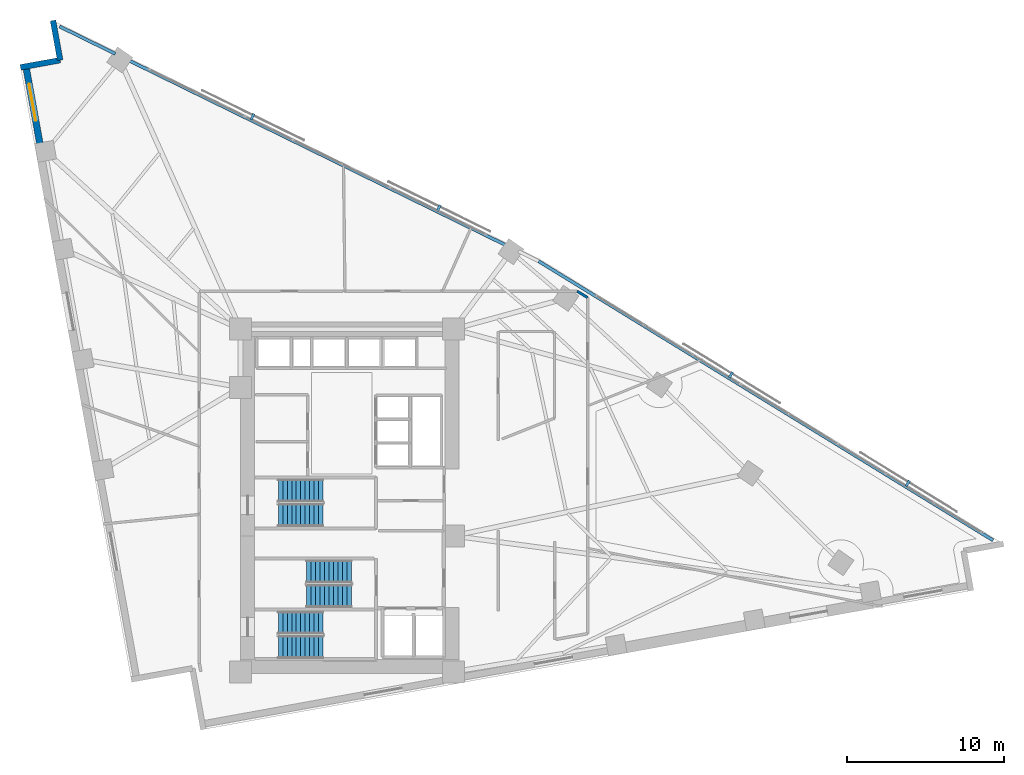
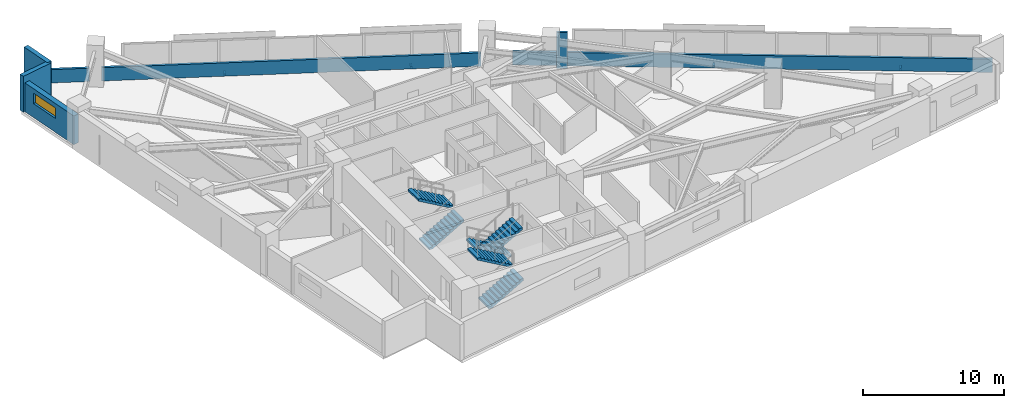
# One storey, part 18 of 20: 7 walls, 6 stair flights, 4 discrete accessories, 1 window, 1 opening, 3 elements without a shape of their own.
"""IFC4 building model written with IfcOpenShell, lengths in metres."""

from ifc_helpers import new_model, si_unit, direction, frame, frame_2d, origin, origin_2d, place, context, subcontext, project, spatial, polyline, rectangle, outline, extrude, material, layer, layer_set, type_object, element, fill, aggregate, save


model = new_model("IFC4")

# Units and contexts
model_context = context("Model", 3, precision=1e-05, world=origin(), true_north=direction((0.0, 1.0)))
body_context = subcontext(model_context, "Body", "Model", "MODEL_VIEW")
ifc_project = project(units=[si_unit("LENGTHUNIT", "METRE"), si_unit("AREAUNIT", "SQUARE_METRE"), si_unit("VOLUMEUNIT", "CUBIC_METRE"), si_unit("PLANEANGLEUNIT", "RADIAN"), si_unit("MASSUNIT", "GRAM", prefix="KILO")], contexts=[model_context])

# Site, building, storey
site_placement = place(None, origin())
site = spatial("IfcSite", under=ifc_project, at=site_placement, CompositionType="ELEMENT")
building_placement = place(site_placement, origin())
building = spatial("IfcBuilding", under=site, at=building_placement, Name="Narakoshi Arena Tower", CompositionType="ELEMENT")
storey_placement = place(building_placement, frame((0.0, 0.0, 124.5)))
storey = spatial("IfcBuildingStorey", under=building, at=storey_placement, Name="L33", CompositionType="ELEMENT", Elevation=124.5)

# Walls
ifc_material_1 = material(Name="Gypsum plasterboard fire-rated partition")
ifc_layer_1 = layer(ifc_material_1, 0.1650390625)
ifc_layer_set_1 = layer_set([ifc_layer_1], Name="Gypsum plasterboard fire-rated partition")
wall_type_1 = type_object("IfcWallType", Name="WL-CORR-165", PredefinedType="PARTITIONING", material=ifc_layer_set_1)
wall_1_placement = place(storey_placement, frame((94.07373046875, 58.511962890625, 0.0), z_axis=(0.0, 0.0, 1.0), x_axis=(-0.852185958268, 0.52323903957, 0.0)))
element("IfcWall", 1, at=wall_1_placement, inside=storey, type_object=wall_type_1, Name="L33 Corridor Partition 05-3", PredefinedType="PARTITIONING", context=body_context, shape_type="SweptSolid", body=[
    extrude(rectangle(XDim=0.77783203125, YDim=0.1650390625, at=frame_2d((0.388916015625, 0.0))), origin(), (0.0, 0.0, 1.0), 3.10009765625),
])
ifc_material_2 = material(Name="Precast concrete C45/55", Category="concrete")
ifc_layer_2 = layer(ifc_material_2, 0.25)
ifc_layer_set_2 = layer_set([ifc_layer_2], Name="Precast concrete C45/55")
wall_type_2 = type_object("IfcWallType", Name="WL-PARA-250", PredefinedType="PARAPET", material=ifc_layer_set_2)
wall_2_placement = place(storey_placement, frame((119.86474609375, 43.0703125, 0.0), z_axis=(0.0, 0.0, 1.0), x_axis=(-0.852110824326, 0.52336138859, 0.0)))
element("IfcWall", 2, at=wall_2_placement, inside=storey, type_object=wall_type_2, Name="L33 Hypotenuse Sill Upstand Parapet 1-01", PredefinedType="PARAPET", context=body_context, shape_type="SweptSolid", body=[
    extrude(rectangle(XDim=33.931640625, YDim=0.199951171875, at=frame_2d((16.9658203125, 0.0))), origin(), (0.0, 0.0, 1.0), 1.14990234375),
])
wall_3_placement = place(storey_placement, frame((88.9208984375, 61.82275390625, 0.0), z_axis=(0.0, 0.0, 1.0), x_axis=(-0.897993533426, 0.440008652103, 0.0)))
element("IfcWall", 3, at=wall_3_placement, inside=storey, type_object=wall_type_2, Name="L33 Hypotenuse Sill Upstand Parapet 2-02", PredefinedType="PARAPET", context=body_context, shape_type="SweptSolid", body=[
    extrude(rectangle(XDim=26.86376953125, YDim=0.199951171875, at=frame_2d((13.431884765625, 0.0))), origin(), (0.0, 0.0, 1.0), 1.14990234375),
])
wall_4_placement = place(storey_placement, frame((64.031982421875, 74.01806640625, 0.0), z_axis=(0.0, 0.0, 1.0), x_axis=(-0.89799103332, 0.440013754417, 0.0)))
element("IfcWall", 4, at=wall_4_placement, inside=storey, type_object=wall_type_2, Name="L33 Hypotenuse Sill Upstand Parapet 2-03", PredefinedType="PARAPET", context=body_context, shape_type="SweptSolid", body=[
    extrude(rectangle(XDim=3.954833984375, YDim=0.199951171875, at=frame_2d((1.9775390625, 0.0))), origin(), (0.0, 0.0, 1.0), 1.14990234375),
])

# Wall, opening, window
ifc_layer_3 = layer(ifc_material_2, 0.419921875)
ifc_layer_set_3 = layer_set([ifc_layer_3], Name="Precast concrete C45/55")
wall_type_3 = type_object("IfcWallType", Name="WL-POD-420", PredefinedType="SOLIDWALL", material=ifc_layer_set_3)
wall_5_placement = place(storey_placement, frame((58.341796875, 73.2197265625, 0.0), z_axis=(0.0, 0.0, 1.0), x_axis=(0.177981837245, -0.984033772597, 0.0)))
wall_5 = element("IfcWall", 5, at=wall_5_placement, inside=storey, type_object=wall_type_3, Name="L33 Architectural Concrete Facade Wall LEGB-1", PredefinedType="SOLIDWALL", context=body_context, shape_type="SweptSolid", body=[
    extrude(rectangle(XDim=5.540283203125, YDim=0.419921875, at=frame_2d((2.77001953125, 0.0))), origin(), (0.0, 0.0, 1.0), 2.485107421875),
])
opening_placement = place(wall_5_placement, frame((1.11767578125, 0.0, 1.199951171875)))
opening = element("IfcOpeningElement", 6, at=opening_placement, cuts=wall_5, Name="Opening WN-01", PredefinedType="OPENING", context=body_context, shape_type="SweptSolid", body=[
    extrude(rectangle(XDim=2.39990234375, YDim=0.89990234375, at=frame_2d((1.199951171875, 0.449951171875))), frame((0.0, 0.219970703125, 0.0), z_axis=(0.0, -1.0, 0.0), x_axis=(1.0, 0.0, 0.0)), (0.0, 0.0, 1.0), 0.43994140625),
])
ifc_material_3 = material(Name="Bronze-tinted low-E laminated glass", Category="glass")
window_type = type_object("IfcWindowType", Name="WIN-SLT-24x09", PartitioningType="SINGLE_PANEL", PredefinedType="WINDOW", material=ifc_material_3)
window_placement = place(opening_placement, origin())
window = element("IfcWindow", 7, at=window_placement, inside=storey, type_object=window_type, Name="L33 LEGB1 Horizontal Slot Window 1", OverallHeight=0.89990234375, OverallWidth=2.39990234375, PartitioningType="SINGLE_PANEL", PredefinedType="WINDOW", context=body_context, shape_type="SweptSolid", body=[
    extrude(rectangle(XDim=2.39990234375, YDim=0.89990234375, at=frame_2d((1.199951171875, 0.449951171875))), frame((0.0, 0.030029296875, 0.0), z_axis=(0.0, -1.0, 0.0), x_axis=(1.0, 0.0, 0.0)), (0.0, 0.0, 1.0), 0.06005859375),
])
fill(opening, window)

# Walls
wall_6_placement = place(storey_placement, frame((60.066162109375, 76.139404296875, 0.0), z_axis=(0.0, 0.0, 1.0), x_axis=(0.177897493713, -0.984049024048, 0.0)))
element("IfcWall", 8, at=wall_6_placement, inside=storey, type_object=wall_type_3, Name="L33 Re-Entrant Corner Notch Wall NTN-1", PredefinedType="SOLIDWALL", context=body_context, shape_type="SweptSolid", body=[
    extrude(rectangle(XDim=2.56640625, YDim=0.360107421875, at=frame_2d((1.283203125, 0.0))), origin(), (0.0, 0.0, 1.0), 3.10009765625),
])
wall_7_placement = place(storey_placement, frame((60.522705078125, 73.614013671875, 0.0), z_axis=(0.0, 0.0, 1.0), x_axis=(-0.984046012923, -0.177914149102, 0.0)))
element("IfcWall", 9, at=wall_7_placement, inside=storey, type_object=wall_type_3, Name="L33 Re-Entrant Corner Notch Wall NTN-2", PredefinedType="SOLIDWALL", context=body_context, shape_type="SweptSolid", body=[
    extrude(rectangle(XDim=2.566162109375, YDim=0.360107421875, at=frame_2d((1.283203125, 0.0))), origin(), (0.0, 0.0, 1.0), 3.10009765625),
])

# Stair, stair flights
ifc_material_4 = material(Name="Concrete C45/55", Category="concrete")
stair_type = type_object("IfcStairType", Name="STR-CORE-360", PredefinedType="TWO_STRAIGHT_RUN_STAIR", material=ifc_material_4)
stair_1_placement = place(storey_placement, origin())
stair_1 = element("IfcStair", 10, at=stair_1_placement, inside=storey, type_object=stair_type, Name="L33 Core Escape Stair ST1", PredefinedType="TWO_STRAIGHT_RUN_STAIR")
stair_flight_type = type_object("IfcStairFlightType", Name="FLT-145-160", PredefinedType="STRAIGHT", material=ifc_material_2)
stair_flight_1_placement = place(storey_placement, frame((74.39990234375, 36.27490234375, 0.0), z_axis=(0.0, 0.0, 1.0), x_axis=(1.0, 0.0, 0.0)))
stair_flight_1 = element("IfcStairFlight", 11, at=stair_flight_1_placement, type_object=stair_flight_type, Name="ST1 flight 1", NumberOfRisers=11, NumberOfTreads=10, PredefinedType="STRAIGHT", RiserHeight=0.163636364, TreadLength=0.285, context=body_context, shape_type="SweptSolid", body=[
    extrude(outline(polyline([(0.0, 0.0), (0.0, 0.16357421875), (0.284912109375, 0.16357421875), (0.284912109375, 0.327392578125), (0.570068359375, 0.327392578125), (0.570068359375, 0.490966796875), (0.85498046875, 0.490966796875), (0.85498046875, 0.654541015625), (1.139892578125, 0.654541015625), (1.139892578125, 0.818115234375), (1.425048828125, 0.818115234375), (1.425048828125, 0.98193359375), (1.7099609375, 0.98193359375), (1.7099609375, 1.1455078125), (1.9951171875, 1.1455078125), (1.9951171875, 1.30908203125), (2.280029296875, 1.30908203125), (2.280029296875, 1.47265625), (2.56494140625, 1.47265625), (2.56494140625, 1.636474609375), (2.85009765625, 1.636474609375), (2.85009765625, 1.800048828125), (2.85009765625, 1.463623046875), (0.301025390625, 0.0), (0.0, 0.0)])), frame((0.0, 0.72509765625, 0.0), z_axis=(0.0, -1.0, 0.0), x_axis=(1.0, 0.0, 0.0)), (0.0, 0.0, 1.0), 1.449951171875),
])
stair_flight_2_placement = place(storey_placement, frame((77.25, 37.824951171875, 1.800048828125), z_axis=(0.0, 0.0, 1.0), x_axis=(-1.0, 0.0, 0.0)))
stair_flight_2 = element("IfcStairFlight", 12, at=stair_flight_2_placement, type_object=stair_flight_type, Name="ST1 flight 2", NumberOfRisers=11, NumberOfTreads=10, PredefinedType="STRAIGHT", RiserHeight=0.163636364, TreadLength=0.285, context=body_context, shape_type="SweptSolid", body=[
    extrude(outline(polyline([(0.0, 0.0), (0.0, 0.16357421875), (0.284912109375, 0.16357421875), (0.284912109375, 0.327392578125), (0.570068359375, 0.327392578125), (0.570068359375, 0.490966796875), (0.85498046875, 0.490966796875), (0.85498046875, 0.654541015625), (1.139892578125, 0.654541015625), (1.139892578125, 0.818115234375), (1.425048828125, 0.818115234375), (1.425048828125, 0.98193359375), (1.7099609375, 0.98193359375), (1.7099609375, 1.1455078125), (1.9951171875, 1.1455078125), (1.9951171875, 1.30908203125), (2.280029296875, 1.30908203125), (2.280029296875, 1.47265625), (2.56494140625, 1.47265625), (2.56494140625, 1.636474609375), (2.85009765625, 1.636474609375), (2.85009765625, 1.800048828125), (2.85009765625, 1.463623046875), (0.301025390625, 0.0), (0.0, 0.0)])), frame((0.0, 0.72509765625, 0.0), z_axis=(0.0, -1.0, 0.0), x_axis=(1.0, 0.0, 0.0)), (0.0, 0.0, 1.0), 1.449951171875),
])
aggregate(stair_1, [stair_flight_1, stair_flight_2])

stair_2_placement = place(storey_placement, origin())
stair_2 = element("IfcStair", 13, at=stair_2_placement, inside=storey, type_object=stair_type, Name="L33 Core Escape Stair ST2", PredefinedType="TWO_STRAIGHT_RUN_STAIR")
stair_flight_3_placement = place(storey_placement, frame((79.050048828125, 41.074951171875, 0.0), z_axis=(0.0, 0.0, 1.0), x_axis=(-1.0, 0.0, 0.0)))
stair_flight_3 = element("IfcStairFlight", 14, at=stair_flight_3_placement, type_object=stair_flight_type, Name="ST2 flight 1", NumberOfRisers=11, NumberOfTreads=10, PredefinedType="STRAIGHT", RiserHeight=0.163636364, TreadLength=0.285, context=body_context, shape_type="SweptSolid", body=[
    extrude(outline(polyline([(0.0, 0.0), (0.0, 0.16357421875), (0.284912109375, 0.16357421875), (0.284912109375, 0.327392578125), (0.570068359375, 0.327392578125), (0.570068359375, 0.490966796875), (0.85498046875, 0.490966796875), (0.85498046875, 0.654541015625), (1.139892578125, 0.654541015625), (1.139892578125, 0.818115234375), (1.425048828125, 0.818115234375), (1.425048828125, 0.98193359375), (1.7099609375, 0.98193359375), (1.7099609375, 1.1455078125), (1.9951171875, 1.1455078125), (1.9951171875, 1.30908203125), (2.280029296875, 1.30908203125), (2.280029296875, 1.47265625), (2.56494140625, 1.47265625), (2.56494140625, 1.636474609375), (2.85009765625, 1.636474609375), (2.85009765625, 1.800048828125), (2.85009765625, 1.463623046875), (0.301025390625, 0.0), (0.0, 0.0)])), frame((0.0, 0.72509765625, 0.0), z_axis=(0.0, -1.0, 0.0), x_axis=(1.0, 0.0, 0.0)), (0.0, 0.0, 1.0), 1.449951171875),
])
stair_flight_4_placement = place(storey_placement, frame((76.199951171875, 39.52490234375, 1.800048828125), z_axis=(0.0, 0.0, 1.0), x_axis=(1.0, 0.0, 0.0)))
stair_flight_4 = element("IfcStairFlight", 15, at=stair_flight_4_placement, type_object=stair_flight_type, Name="ST2 flight 2", NumberOfRisers=11, NumberOfTreads=10, PredefinedType="STRAIGHT", RiserHeight=0.163636364, TreadLength=0.285, context=body_context, shape_type="SweptSolid", body=[
    extrude(outline(polyline([(0.0, 0.0), (0.0, 0.16357421875), (0.284912109375, 0.16357421875), (0.284912109375, 0.327392578125), (0.570068359375, 0.327392578125), (0.570068359375, 0.490966796875), (0.85498046875, 0.490966796875), (0.85498046875, 0.654541015625), (1.139892578125, 0.654541015625), (1.139892578125, 0.818115234375), (1.425048828125, 0.818115234375), (1.425048828125, 0.98193359375), (1.7099609375, 0.98193359375), (1.7099609375, 1.1455078125), (1.9951171875, 1.1455078125), (1.9951171875, 1.30908203125), (2.280029296875, 1.30908203125), (2.280029296875, 1.47265625), (2.56494140625, 1.47265625), (2.56494140625, 1.636474609375), (2.85009765625, 1.636474609375), (2.85009765625, 1.800048828125), (2.85009765625, 1.463623046875), (0.301025390625, 0.0), (0.0, 0.0)])), frame((0.0, 0.72509765625, 0.0), z_axis=(0.0, -1.0, 0.0), x_axis=(1.0, 0.0, 0.0)), (0.0, 0.0, 1.0), 1.449951171875),
])
aggregate(stair_2, [stair_flight_3, stair_flight_4])

stair_3_placement = place(storey_placement, origin())
stair_3 = element("IfcStair", 16, at=stair_3_placement, inside=storey, type_object=stair_type, Name="L33 Core Escape Stair ST3", PredefinedType="TWO_STRAIGHT_RUN_STAIR")
stair_flight_5_placement = place(storey_placement, frame((74.39990234375, 44.675048828125, 0.0), z_axis=(0.0, 0.0, 1.0), x_axis=(1.0, 0.0, 0.0)))
stair_flight_5 = element("IfcStairFlight", 17, at=stair_flight_5_placement, type_object=stair_flight_type, Name="ST3 flight 1", NumberOfRisers=11, NumberOfTreads=10, PredefinedType="STRAIGHT", RiserHeight=0.163636364, TreadLength=0.285, context=body_context, shape_type="SweptSolid", body=[
    extrude(outline(polyline([(0.0, 0.0), (0.0, 0.16357421875), (0.284912109375, 0.16357421875), (0.284912109375, 0.327392578125), (0.570068359375, 0.327392578125), (0.570068359375, 0.490966796875), (0.85498046875, 0.490966796875), (0.85498046875, 0.654541015625), (1.139892578125, 0.654541015625), (1.139892578125, 0.818115234375), (1.425048828125, 0.818115234375), (1.425048828125, 0.98193359375), (1.7099609375, 0.98193359375), (1.7099609375, 1.1455078125), (1.9951171875, 1.1455078125), (1.9951171875, 1.30908203125), (2.280029296875, 1.30908203125), (2.280029296875, 1.47265625), (2.56494140625, 1.47265625), (2.56494140625, 1.636474609375), (2.85009765625, 1.636474609375), (2.85009765625, 1.800048828125), (2.85009765625, 1.463623046875), (0.301025390625, 0.0), (0.0, 0.0)])), frame((0.0, 0.72509765625, 0.0), z_axis=(0.0, -1.0, 0.0), x_axis=(1.0, 0.0, 0.0)), (0.0, 0.0, 1.0), 1.449951171875),
])
stair_flight_6_placement = place(storey_placement, frame((77.25, 46.22509765625, 1.800048828125), z_axis=(0.0, 0.0, 1.0), x_axis=(-1.0, 0.0, 0.0)))
stair_flight_6 = element("IfcStairFlight", 18, at=stair_flight_6_placement, type_object=stair_flight_type, Name="ST3 flight 2", NumberOfRisers=11, NumberOfTreads=10, PredefinedType="STRAIGHT", RiserHeight=0.163636364, TreadLength=0.285, context=body_context, shape_type="SweptSolid", body=[
    extrude(outline(polyline([(0.0, 0.0), (0.0, 0.16357421875), (0.284912109375, 0.16357421875), (0.284912109375, 0.327392578125), (0.570068359375, 0.327392578125), (0.570068359375, 0.490966796875), (0.85498046875, 0.490966796875), (0.85498046875, 0.654541015625), (1.139892578125, 0.654541015625), (1.139892578125, 0.818115234375), (1.425048828125, 0.818115234375), (1.425048828125, 0.98193359375), (1.7099609375, 0.98193359375), (1.7099609375, 1.1455078125), (1.9951171875, 1.1455078125), (1.9951171875, 1.30908203125), (2.280029296875, 1.30908203125), (2.280029296875, 1.47265625), (2.56494140625, 1.47265625), (2.56494140625, 1.636474609375), (2.85009765625, 1.636474609375), (2.85009765625, 1.800048828125), (2.85009765625, 1.463623046875), (0.301025390625, 0.0), (0.0, 0.0)])), frame((0.0, 0.72509765625, 0.0), z_axis=(0.0, -1.0, 0.0), x_axis=(1.0, 0.0, 0.0)), (0.0, 0.0, 1.0), 1.449951171875),
])
aggregate(stair_3, [stair_flight_5, stair_flight_6])

# Discrete accessories
ifc_material_5 = material(Name="Structural steel S355J2", Category="steel")
discrete_accessory_type = type_object("IfcDiscreteAccessoryType", Name="ACC-BRK-SCR", PredefinedType="BRACKET", material=ifc_material_5)
for number, where, z_axis, x_axis, name in (
    (19, (114.442138671875, 46.6826171875, -0.080078125), (0.0, 0.0, 1.0), (-0.852110807003, 0.523361416794, 0.0), "L33 Solar Screen Support Bracket SHD-L33-SCR1-1"),
    (20, (103.1943359375, 53.5908203125, -0.080078125), (0.0, 0.0, 1.0), (-0.852110807003, 0.523361416794, 0.0), "L33 Solar Screen Support Bracket SHD-L33-SCR1-2"),
    (21, (84.6044921875, 64.205078125, -0.080078125), (0.0, 0.0, 1.0), (-0.897996860024, 0.440001862936, 0.0), "L33 Solar Screen Support Bracket SHD-L33-SCR2-1"),
    (22, (72.7509765625, 70.01318359375, -0.080078125), (0.0, 0.0, 1.0), (-0.897996860024, 0.440001862936, 0.0), "L33 Solar Screen Support Bracket SHD-L33-SCR2-2"),
):
    element("IfcDiscreteAccessory", number, at=place(storey_placement, frame(where, z_axis=z_axis, x_axis=x_axis)), inside=storey, type_object=discrete_accessory_type, Name=name, PredefinedType="BRACKET", context=body_context, shape_type="SweptSolid", body=[
        extrude(rectangle(XDim=0.159912109375, YDim=0.425048828125, at=origin_2d()), origin(), (0.0, 0.0, 1.0), 0.199951171875),
    ])

save(model, "model.ifc")
